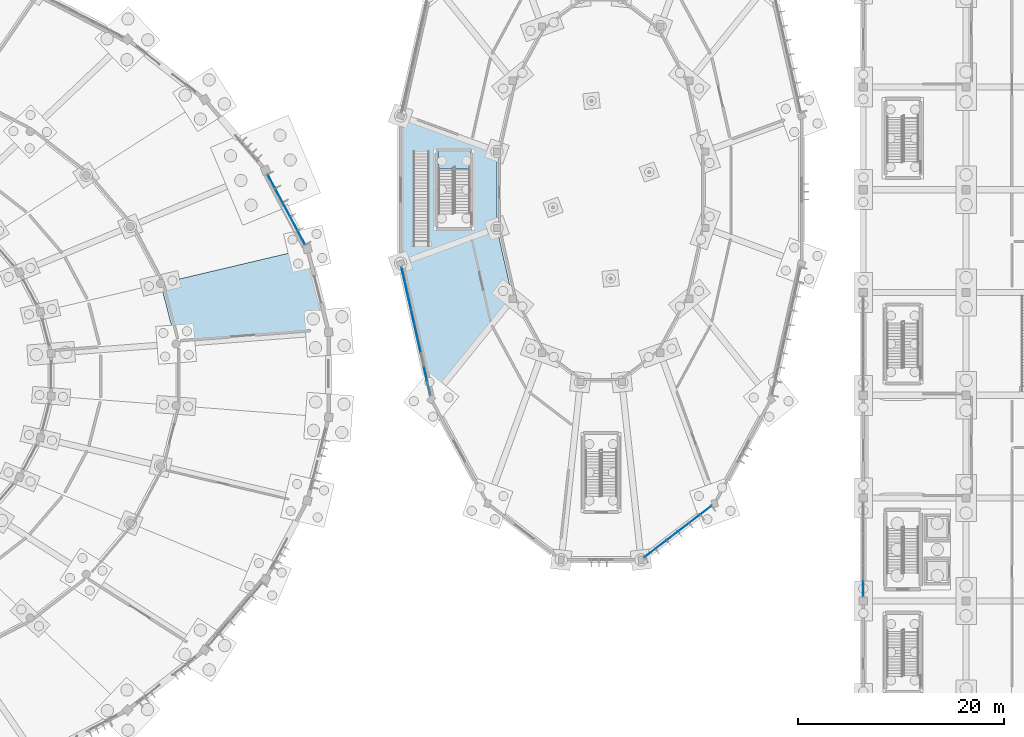
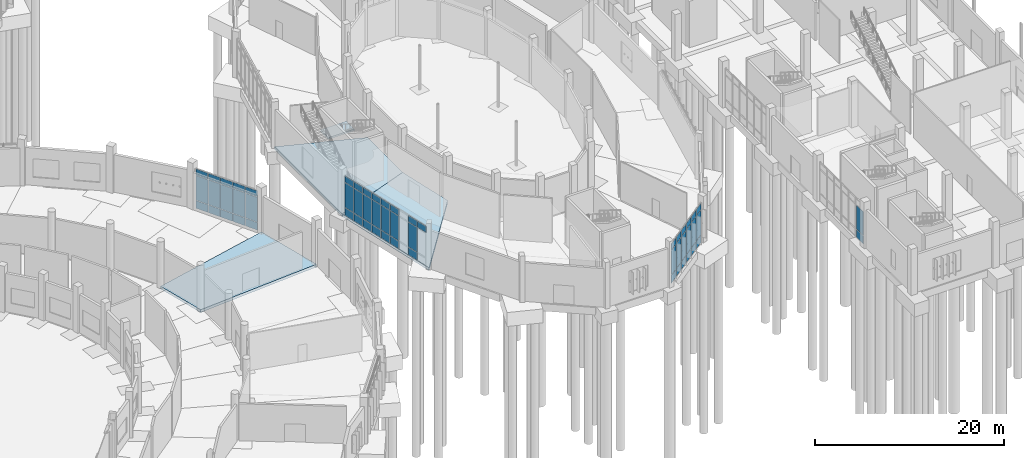
# One storey, part 64 of 140: 57 plates, 4 slabs, 5 elements without a shape of their own.
"""IFC4 building model written with IfcOpenShell, lengths in metres."""

from ifc_helpers import new_model, si_unit, direction, frame, origin, origin_2d, place, context, subcontext, project, spatial, polyline, rectangle, outline, extrude, material, layer, layer_set, type_object, element, aggregate, save


model = new_model("IFC4")

# Units and contexts
model_context = context("Model", 3, precision=1e-05, world=origin(), true_north=direction((0.0, 1.0)))
body_context = subcontext(model_context, "Body", "Model", "MODEL_VIEW")
ifc_project = project(units=[si_unit("LENGTHUNIT", "METRE"), si_unit("AREAUNIT", "SQUARE_METRE"), si_unit("VOLUMEUNIT", "CUBIC_METRE"), si_unit("PLANEANGLEUNIT", "RADIAN"), si_unit("MASSUNIT", "GRAM", prefix="KILO")], contexts=[model_context])

# Site, building, storey
site_placement = place(None, origin())
site = spatial("IfcSite", under=ifc_project, at=site_placement, CompositionType="ELEMENT")
building_placement = place(site_placement, origin())
building = spatial("IfcBuilding", under=site, at=building_placement, Name="Corvandel Quay Wholesale Market", CompositionType="ELEMENT")
storey_placement = place(building_placement, origin())
storey = spatial("IfcBuildingStorey", under=building, at=storey_placement, Name="L00", CompositionType="ELEMENT", Elevation=0.0)

# Curtain wall, plates
ifc_material_1 = material(Name="Bronze anodised aluminium and low-E insulated glazing", Category="aluminium")
ifc_layer_1 = layer(ifc_material_1, 0.174072265625)
ifc_layer_set_1 = layer_set([ifc_layer_1], Name="Bronze anodised aluminium and low-E insulated glazing")
curtain_wall_type_1 = type_object("IfcCurtainWallType", Name="Stick Curtain Wall System CW02 H3180", PredefinedType="NOTDEFINED", material=ifc_layer_set_1)
curtain_wall_1_placement = place(storey_placement, origin())
curtain_wall_1 = element("IfcCurtainWall", 1, at=curtain_wall_1_placement, inside=storey, type_object=curtain_wall_type_1, Name="Curtain Wall CW-0003", PredefinedType="NOTDEFINED")
ifc_material_2 = material(Name="Solar-control low-E insulated glazing", Category="glass")
ifc_layer_2 = layer(ifc_material_2, 0.0400390625)
ifc_layer_set_2 = layer_set([ifc_layer_2], Name="Solar-control low-E insulated glazing")
plate_type_1 = type_object("IfcPlateType", Name="Ceramic Fritted Spandrel Panel PN03 40mm", PredefinedType="CURTAIN_PANEL", material=ifc_layer_set_2)
plate_1_placement = place(storey_placement, frame((165.3486328125, 55.3330078125, 4.33251953125), z_axis=(0.0, 0.0, 1.0), x_axis=(-0.470087862033, 0.882619624736, 0.0)))
plate_1 = element("IfcPlate", 2, at=plate_1_placement, type_object=plate_type_1, Name="Glazing Panel CW-0003-P00-2", PredefinedType="CURTAIN_PANEL", context=body_context, shape_type="SweptSolid", body=[
    extrude(rectangle(XDim=1.48681640625, YDim=0.0400390625, at=origin_2d()), origin(), (0.0, 0.0, 1.0), 0.784912109375),
])
plate_2_placement = place(storey_placement, frame((164.619140625, 56.702880859375, 4.33251953125), z_axis=(0.0, 0.0, 1.0), x_axis=(-0.470087862033, 0.882619624736, 0.0)))
plate_2 = element("IfcPlate", 3, at=plate_2_placement, type_object=plate_type_1, Name="Glazing Panel CW-0003-P01-2", PredefinedType="CURTAIN_PANEL", context=body_context, shape_type="SweptSolid", body=[
    extrude(rectangle(XDim=1.48681640625, YDim=0.0400390625, at=origin_2d()), origin(), (0.0, 0.0, 1.0), 0.784912109375),
])
plate_3_placement = place(storey_placement, frame((163.889404296875, 58.072509765625, 4.33251953125), z_axis=(0.0, 0.0, 1.0), x_axis=(-0.470087862033, 0.882619624736, 0.0)))
plate_3 = element("IfcPlate", 4, at=plate_3_placement, type_object=plate_type_1, Name="Glazing Panel CW-0003-P02-2", PredefinedType="CURTAIN_PANEL", context=body_context, shape_type="SweptSolid", body=[
    extrude(rectangle(XDim=1.48681640625, YDim=0.0400390625, at=origin_2d()), origin(), (0.0, 0.0, 1.0), 0.784912109375),
])
plate_4_placement = place(storey_placement, frame((163.159912109375, 59.442138671875, 4.33251953125), z_axis=(0.0, 0.0, 1.0), x_axis=(-0.470087862033, 0.882619624736, 0.0)))
plate_4 = element("IfcPlate", 5, at=plate_4_placement, type_object=plate_type_1, Name="Glazing Panel CW-0003-P03-2", PredefinedType="CURTAIN_PANEL", context=body_context, shape_type="SweptSolid", body=[
    extrude(rectangle(XDim=1.48681640625, YDim=0.0400390625, at=origin_2d()), origin(), (0.0, 0.0, 1.0), 0.784912109375),
])
plate_5_placement = place(storey_placement, frame((162.430419921875, 60.81201171875, 4.33251953125), z_axis=(0.0, 0.0, 1.0), x_axis=(-0.470087862033, 0.882619624736, 0.0)))
plate_5 = element("IfcPlate", 6, at=plate_5_placement, type_object=plate_type_1, Name="Glazing Panel CW-0003-P04-2", PredefinedType="CURTAIN_PANEL", context=body_context, shape_type="SweptSolid", body=[
    extrude(rectangle(XDim=1.48681640625, YDim=0.0400390625, at=origin_2d()), origin(), (0.0, 0.0, 1.0), 0.784912109375),
])

ifc_layer_3 = layer(ifc_material_1, 0.14990234375)
ifc_layer_set_3 = layer_set([ifc_layer_3], Name="Bronze anodised aluminium and low-E insulated glazing")
curtain_wall_type_2 = type_object("IfcCurtainWallType", Name="Stick Curtain Wall System CW10 H3900", PredefinedType="NOTDEFINED", material=ifc_layer_set_3)
curtain_wall_2_placement = place(storey_placement, origin())
curtain_wall_2 = element("IfcCurtainWall", 7, at=curtain_wall_2_placement, inside=storey, type_object=curtain_wall_type_2, Name="Curtain Wall CW-0136", PredefinedType="NOTDEFINED")
plate_6_placement = place(storey_placement, frame((175.242919921875, 51.757080078125, 4.33251953125), z_axis=(0.0, 0.0, 1.0), x_axis=(-0.218994806262, 0.975726024471, 0.0)))
plate_6 = element("IfcPlate", 8, at=plate_6_placement, type_object=plate_type_1, Name="Glazing Panel CW-0136-P00-2", PredefinedType="CURTAIN_PANEL", context=body_context, shape_type="SweptSolid", body=[
    extrude(rectangle(XDim=1.352783203125, YDim=0.0400390625, at=origin_2d()), origin(), (0.0, 0.0, 1.0), 0.784912109375),
])
plate_7_placement = place(storey_placement, frame((175.55322265625, 50.37353515625, 4.33251953125), z_axis=(0.0, 0.0, 1.0), x_axis=(-0.218994806262, 0.975726024471, 0.0)))
plate_7 = element("IfcPlate", 9, at=plate_7_placement, type_object=plate_type_1, Name="Glazing Panel CW-0136-P01-2", PredefinedType="CURTAIN_PANEL", context=body_context, shape_type="SweptSolid", body=[
    extrude(rectangle(XDim=1.352783203125, YDim=0.0400390625, at=origin_2d()), origin(), (0.0, 0.0, 1.0), 0.784912109375),
])
plate_8_placement = place(storey_placement, frame((175.86376953125, 48.990234375, 4.33251953125), z_axis=(0.0, 0.0, 1.0), x_axis=(-0.218994806262, 0.975726024471, 0.0)))
plate_8 = element("IfcPlate", 10, at=plate_8_placement, type_object=plate_type_1, Name="Glazing Panel CW-0136-P02-2", PredefinedType="CURTAIN_PANEL", context=body_context, shape_type="SweptSolid", body=[
    extrude(rectangle(XDim=1.352783203125, YDim=0.0400390625, at=origin_2d()), origin(), (0.0, 0.0, 1.0), 0.784912109375),
])
plate_9_placement = place(storey_placement, frame((176.174072265625, 47.60693359375, 4.33251953125), z_axis=(0.0, 0.0, 1.0), x_axis=(-0.218994806262, 0.975726024471, 0.0)))
plate_9 = element("IfcPlate", 11, at=plate_9_placement, type_object=plate_type_1, Name="Glazing Panel CW-0136-P03-2", PredefinedType="CURTAIN_PANEL", context=body_context, shape_type="SweptSolid", body=[
    extrude(rectangle(XDim=1.352783203125, YDim=0.0400390625, at=origin_2d()), origin(), (0.0, 0.0, 1.0), 0.784912109375),
])
plate_10_placement = place(storey_placement, frame((176.484619140625, 46.223388671875, 4.33251953125), z_axis=(0.0, 0.0, 1.0), x_axis=(-0.218994806262, 0.975726024471, 0.0)))
plate_10 = element("IfcPlate", 12, at=plate_10_placement, type_object=plate_type_1, Name="Glazing Panel CW-0136-P04-2", PredefinedType="CURTAIN_PANEL", context=body_context, shape_type="SweptSolid", body=[
    extrude(rectangle(XDim=1.352783203125, YDim=0.0400390625, at=origin_2d()), origin(), (0.0, 0.0, 1.0), 0.784912109375),
])
plate_11_placement = place(storey_placement, frame((176.794921875, 44.840087890625, 4.33251953125), z_axis=(0.0, 0.0, 1.0), x_axis=(-0.218994806262, 0.975726024471, 0.0)))
plate_11 = element("IfcPlate", 13, at=plate_11_placement, type_object=plate_type_1, Name="Glazing Panel CW-0136-P05-2", PredefinedType="CURTAIN_PANEL", context=body_context, shape_type="SweptSolid", body=[
    extrude(rectangle(XDim=1.352783203125, YDim=0.0400390625, at=origin_2d()), origin(), (0.0, 0.0, 1.0), 0.784912109375),
])
plate_12_placement = place(storey_placement, frame((177.415771484375, 42.073486328125, 4.33251953125), z_axis=(0.0, 0.0, 1.0), x_axis=(-0.218994806262, 0.975726024471, 0.0)))
plate_12 = element("IfcPlate", 14, at=plate_12_placement, type_object=plate_type_1, Name="Glazing Panel CW-0136-P07-2", PredefinedType="CURTAIN_PANEL", context=body_context, shape_type="SweptSolid", body=[
    extrude(rectangle(XDim=1.352783203125, YDim=0.0400390625, at=origin_2d()), origin(), (0.0, 0.0, 1.0), 0.784912109375),
])
plate_13_placement = place(storey_placement, frame((177.726318359375, 40.68994140625, 4.33251953125), z_axis=(0.0, 0.0, 1.0), x_axis=(-0.218994806262, 0.975726024471, 0.0)))
plate_13 = element("IfcPlate", 15, at=plate_13_placement, type_object=plate_type_1, Name="Glazing Panel CW-0136-P08-2", PredefinedType="CURTAIN_PANEL", context=body_context, shape_type="SweptSolid", body=[
    extrude(rectangle(XDim=1.352783203125, YDim=0.0400390625, at=origin_2d()), origin(), (0.0, 0.0, 1.0), 0.784912109375),
])

ifc_layer_4 = layer(ifc_material_1, 0.197998046875)
ifc_layer_set_4 = layer_set([ifc_layer_4], Name="Bronze anodised aluminium and low-E insulated glazing")
curtain_wall_type_3 = type_object("IfcCurtainWallType", Name="Stick Curtain Wall System CW14 H4260", PredefinedType="NOTDEFINED", material=ifc_layer_set_4)
curtain_wall_3_placement = place(storey_placement, origin())
curtain_wall_3 = element("IfcCurtainWall", 16, at=curtain_wall_3_placement, inside=storey, type_object=curtain_wall_type_3, Name="Curtain Wall CW-0139", PredefinedType="NOTDEFINED")
plate_14_placement = place(storey_placement, frame((199.2412109375, 24.6591796875, 4.33251953125), z_axis=(0.0, 0.0, 1.0), x_axis=(0.794308601354, 0.607514481979, 0.0)))
plate_14 = element("IfcPlate", 17, at=plate_14_placement, type_object=plate_type_1, Name="Glazing Panel CW-0139-P00-2", PredefinedType="CURTAIN_PANEL", context=body_context, shape_type="SweptSolid", body=[
    extrude(rectangle(XDim=1.305419921875, YDim=0.0400390625, at=origin_2d()), origin(), (0.0, 0.0, 1.0), 0.784912109375),
])
plate_15_placement = place(storey_placement, frame((200.32958984375, 25.49169921875, 4.33251953125), z_axis=(0.0, 0.0, 1.0), x_axis=(0.794308601354, 0.607514481979, 0.0)))
plate_15 = element("IfcPlate", 18, at=plate_15_placement, type_object=plate_type_1, Name="Glazing Panel CW-0139-P01-2", PredefinedType="CURTAIN_PANEL", context=body_context, shape_type="SweptSolid", body=[
    extrude(rectangle(XDim=1.305419921875, YDim=0.0400390625, at=origin_2d()), origin(), (0.0, 0.0, 1.0), 0.784912109375),
])
plate_16_placement = place(storey_placement, frame((201.418212890625, 26.32421875, 4.33251953125), z_axis=(0.0, 0.0, 1.0), x_axis=(0.794308601354, 0.607514481979, 0.0)))
plate_16 = element("IfcPlate", 19, at=plate_16_placement, type_object=plate_type_1, Name="Glazing Panel CW-0139-P02-2", PredefinedType="CURTAIN_PANEL", context=body_context, shape_type="SweptSolid", body=[
    extrude(rectangle(XDim=1.305419921875, YDim=0.0400390625, at=origin_2d()), origin(), (0.0, 0.0, 1.0), 0.784912109375),
])
plate_17_placement = place(storey_placement, frame((202.5068359375, 27.15673828125, 4.33251953125), z_axis=(0.0, 0.0, 1.0), x_axis=(0.794308601354, 0.607514481979, 0.0)))
plate_17 = element("IfcPlate", 20, at=plate_17_placement, type_object=plate_type_1, Name="Glazing Panel CW-0139-P03-2", PredefinedType="CURTAIN_PANEL", context=body_context, shape_type="SweptSolid", body=[
    extrude(rectangle(XDim=1.305419921875, YDim=0.0400390625, at=origin_2d()), origin(), (0.0, 0.0, 1.0), 0.784912109375),
])
plate_18_placement = place(storey_placement, frame((203.59521484375, 27.9892578125, 4.33251953125), z_axis=(0.0, 0.0, 1.0), x_axis=(0.794308601354, 0.607514481979, 0.0)))
plate_18 = element("IfcPlate", 21, at=plate_18_placement, type_object=plate_type_1, Name="Glazing Panel CW-0139-P04-2", PredefinedType="CURTAIN_PANEL", context=body_context, shape_type="SweptSolid", body=[
    extrude(rectangle(XDim=1.305419921875, YDim=0.0400390625, at=origin_2d()), origin(), (0.0, 0.0, 1.0), 0.784912109375),
])
plate_19_placement = place(storey_placement, frame((204.683837890625, 28.82177734375, 4.33251953125), z_axis=(0.0, 0.0, 1.0), x_axis=(0.794308601354, 0.607514481979, 0.0)))
plate_19 = element("IfcPlate", 22, at=plate_19_placement, type_object=plate_type_1, Name="Glazing Panel CW-0139-P05-2", PredefinedType="CURTAIN_PANEL", context=body_context, shape_type="SweptSolid", body=[
    extrude(rectangle(XDim=1.305419921875, YDim=0.0400390625, at=origin_2d()), origin(), (0.0, 0.0, 1.0), 0.784912109375),
])

# Plate
ifc_layer_5 = layer(ifc_material_2, 0.028076171875)
ifc_layer_set_5 = layer_set([ifc_layer_5], Name="Solar-control low-E insulated glazing")
plate_type_2 = type_object("IfcPlateType", Name="Double Low-E Vision Panel PN01 28mm", PredefinedType="CURTAIN_PANEL", material=ifc_layer_set_5)
plate_20_placement = place(storey_placement, frame((165.3486328125, 55.3330078125, 0.0322265625), z_axis=(0.0, 0.0, 1.0), x_axis=(-0.470087862033, 0.882619624736, 0.0)))
plate_20 = element("IfcPlate", 23, at=plate_20_placement, type_object=plate_type_2, Name="Glazing Panel CW-0003-P00-0", PredefinedType="CURTAIN_PANEL", context=body_context, shape_type="SweptSolid", body=[
    extrude(rectangle(XDim=1.48681640625, YDim=0.028076171875, at=origin_2d()), origin(), (0.0, 0.0, 1.0), 0.985107421875),
])

plate_21_placement = place(storey_placement, frame((165.3486328125, 55.3330078125, 1.08251953125), z_axis=(0.0, 0.0, 1.0), x_axis=(-0.470087862033, 0.882619624736, 0.0)))
plate_21 = element("IfcPlate", 24, at=plate_21_placement, type_object=plate_type_2, Name="Glazing Panel CW-0003-P00-1", PredefinedType="CURTAIN_PANEL", context=body_context, shape_type="SweptSolid", body=[
    extrude(rectangle(XDim=1.48681640625, YDim=0.028076171875, at=origin_2d()), origin(), (0.0, 0.0, 1.0), 3.18505859375),
])

plate_22_placement = place(storey_placement, frame((164.619140625, 56.702880859375, 0.0322265625), z_axis=(0.0, 0.0, 1.0), x_axis=(-0.470087862033, 0.882619624736, 0.0)))
plate_22 = element("IfcPlate", 25, at=plate_22_placement, type_object=plate_type_2, Name="Glazing Panel CW-0003-P01-0", PredefinedType="CURTAIN_PANEL", context=body_context, shape_type="SweptSolid", body=[
    extrude(rectangle(XDim=1.48681640625, YDim=0.028076171875, at=origin_2d()), origin(), (0.0, 0.0, 1.0), 0.985107421875),
])

plate_23_placement = place(storey_placement, frame((164.619140625, 56.702880859375, 1.08251953125), z_axis=(0.0, 0.0, 1.0), x_axis=(-0.470087862033, 0.882619624736, 0.0)))
plate_23 = element("IfcPlate", 26, at=plate_23_placement, type_object=plate_type_2, Name="Glazing Panel CW-0003-P01-1", PredefinedType="CURTAIN_PANEL", context=body_context, shape_type="SweptSolid", body=[
    extrude(rectangle(XDim=1.48681640625, YDim=0.028076171875, at=origin_2d()), origin(), (0.0, 0.0, 1.0), 3.18505859375),
])

plate_24_placement = place(storey_placement, frame((163.889404296875, 58.072509765625, 0.0322265625), z_axis=(0.0, 0.0, 1.0), x_axis=(-0.470087862033, 0.882619624736, 0.0)))
plate_24 = element("IfcPlate", 27, at=plate_24_placement, type_object=plate_type_2, Name="Glazing Panel CW-0003-P02-0", PredefinedType="CURTAIN_PANEL", context=body_context, shape_type="SweptSolid", body=[
    extrude(rectangle(XDim=1.48681640625, YDim=0.028076171875, at=origin_2d()), origin(), (0.0, 0.0, 1.0), 0.985107421875),
])

plate_25_placement = place(storey_placement, frame((163.889404296875, 58.072509765625, 1.08251953125), z_axis=(0.0, 0.0, 1.0), x_axis=(-0.470087862033, 0.882619624736, 0.0)))
plate_25 = element("IfcPlate", 28, at=plate_25_placement, type_object=plate_type_2, Name="Glazing Panel CW-0003-P02-1", PredefinedType="CURTAIN_PANEL", context=body_context, shape_type="SweptSolid", body=[
    extrude(rectangle(XDim=1.48681640625, YDim=0.028076171875, at=origin_2d()), origin(), (0.0, 0.0, 1.0), 3.18505859375),
])

plate_26_placement = place(storey_placement, frame((163.159912109375, 59.442138671875, 0.0322265625), z_axis=(0.0, 0.0, 1.0), x_axis=(-0.470087862033, 0.882619624736, 0.0)))
plate_26 = element("IfcPlate", 29, at=plate_26_placement, type_object=plate_type_2, Name="Glazing Panel CW-0003-P03-0", PredefinedType="CURTAIN_PANEL", context=body_context, shape_type="SweptSolid", body=[
    extrude(rectangle(XDim=1.48681640625, YDim=0.028076171875, at=origin_2d()), origin(), (0.0, 0.0, 1.0), 0.985107421875),
])

plate_27_placement = place(storey_placement, frame((163.159912109375, 59.442138671875, 1.08251953125), z_axis=(0.0, 0.0, 1.0), x_axis=(-0.470087862033, 0.882619624736, 0.0)))
plate_27 = element("IfcPlate", 30, at=plate_27_placement, type_object=plate_type_2, Name="Glazing Panel CW-0003-P03-1", PredefinedType="CURTAIN_PANEL", context=body_context, shape_type="SweptSolid", body=[
    extrude(rectangle(XDim=1.48681640625, YDim=0.028076171875, at=origin_2d()), origin(), (0.0, 0.0, 1.0), 3.18505859375),
])

plate_28_placement = place(storey_placement, frame((162.430419921875, 60.81201171875, 0.0322265625), z_axis=(0.0, 0.0, 1.0), x_axis=(-0.470087862033, 0.882619624736, 0.0)))
plate_28 = element("IfcPlate", 31, at=plate_28_placement, type_object=plate_type_2, Name="Glazing Panel CW-0003-P04-0", PredefinedType="CURTAIN_PANEL", context=body_context, shape_type="SweptSolid", body=[
    extrude(rectangle(XDim=1.48681640625, YDim=0.028076171875, at=origin_2d()), origin(), (0.0, 0.0, 1.0), 0.985107421875),
])

plate_29_placement = place(storey_placement, frame((162.430419921875, 60.81201171875, 1.08251953125), z_axis=(0.0, 0.0, 1.0), x_axis=(-0.470087862033, 0.882619624736, 0.0)))
plate_29 = element("IfcPlate", 32, at=plate_29_placement, type_object=plate_type_2, Name="Glazing Panel CW-0003-P04-1", PredefinedType="CURTAIN_PANEL", context=body_context, shape_type="SweptSolid", body=[
    extrude(rectangle(XDim=1.48681640625, YDim=0.028076171875, at=origin_2d()), origin(), (0.0, 0.0, 1.0), 3.18505859375),
])

aggregate(curtain_wall_1, [plate_20, plate_21, plate_1, plate_22, plate_23, plate_2, plate_24, plate_25, plate_3, plate_26, plate_27, plate_4, plate_28, plate_29, plate_5])

plate_30_placement = place(storey_placement, frame((175.242919921875, 51.757080078125, 0.0322265625), z_axis=(0.0, 0.0, 1.0), x_axis=(-0.218994806262, 0.975726024471, 0.0)))
plate_30 = element("IfcPlate", 33, at=plate_30_placement, type_object=plate_type_2, Name="Glazing Panel CW-0136-P00-0", PredefinedType="CURTAIN_PANEL", context=body_context, shape_type="SweptSolid", body=[
    extrude(rectangle(XDim=1.352783203125, YDim=0.028076171875, at=origin_2d()), origin(), (0.0, 0.0, 1.0), 0.985107421875),
])

plate_31_placement = place(storey_placement, frame((175.242919921875, 51.757080078125, 1.08251953125), z_axis=(0.0, 0.0, 1.0), x_axis=(-0.218994806262, 0.975726024471, 0.0)))
plate_31 = element("IfcPlate", 34, at=plate_31_placement, type_object=plate_type_2, Name="Glazing Panel CW-0136-P00-1", PredefinedType="CURTAIN_PANEL", context=body_context, shape_type="SweptSolid", body=[
    extrude(rectangle(XDim=1.352783203125, YDim=0.028076171875, at=origin_2d()), origin(), (0.0, 0.0, 1.0), 3.18505859375),
])

plate_32_placement = place(storey_placement, frame((175.55322265625, 50.37353515625, 0.0322265625), z_axis=(0.0, 0.0, 1.0), x_axis=(-0.218994806262, 0.975726024471, 0.0)))
plate_32 = element("IfcPlate", 35, at=plate_32_placement, type_object=plate_type_2, Name="Glazing Panel CW-0136-P01-0", PredefinedType="CURTAIN_PANEL", context=body_context, shape_type="SweptSolid", body=[
    extrude(rectangle(XDim=1.352783203125, YDim=0.028076171875, at=origin_2d()), origin(), (0.0, 0.0, 1.0), 0.985107421875),
])

plate_33_placement = place(storey_placement, frame((175.55322265625, 50.37353515625, 1.08251953125), z_axis=(0.0, 0.0, 1.0), x_axis=(-0.218994806262, 0.975726024471, 0.0)))
plate_33 = element("IfcPlate", 36, at=plate_33_placement, type_object=plate_type_2, Name="Glazing Panel CW-0136-P01-1", PredefinedType="CURTAIN_PANEL", context=body_context, shape_type="SweptSolid", body=[
    extrude(rectangle(XDim=1.352783203125, YDim=0.028076171875, at=origin_2d()), origin(), (0.0, 0.0, 1.0), 3.18505859375),
])

plate_34_placement = place(storey_placement, frame((175.86376953125, 48.990234375, 0.0322265625), z_axis=(0.0, 0.0, 1.0), x_axis=(-0.218994806262, 0.975726024471, 0.0)))
plate_34 = element("IfcPlate", 37, at=plate_34_placement, type_object=plate_type_2, Name="Glazing Panel CW-0136-P02-0", PredefinedType="CURTAIN_PANEL", context=body_context, shape_type="SweptSolid", body=[
    extrude(rectangle(XDim=1.352783203125, YDim=0.028076171875, at=origin_2d()), origin(), (0.0, 0.0, 1.0), 0.985107421875),
])

plate_35_placement = place(storey_placement, frame((175.86376953125, 48.990234375, 1.08251953125), z_axis=(0.0, 0.0, 1.0), x_axis=(-0.218994806262, 0.975726024471, 0.0)))
plate_35 = element("IfcPlate", 38, at=plate_35_placement, type_object=plate_type_2, Name="Glazing Panel CW-0136-P02-1", PredefinedType="CURTAIN_PANEL", context=body_context, shape_type="SweptSolid", body=[
    extrude(rectangle(XDim=1.352783203125, YDim=0.028076171875, at=origin_2d()), origin(), (0.0, 0.0, 1.0), 3.18505859375),
])

plate_36_placement = place(storey_placement, frame((176.174072265625, 47.60693359375, 0.0322265625), z_axis=(0.0, 0.0, 1.0), x_axis=(-0.218994806262, 0.975726024471, 0.0)))
plate_36 = element("IfcPlate", 39, at=plate_36_placement, type_object=plate_type_2, Name="Glazing Panel CW-0136-P03-0", PredefinedType="CURTAIN_PANEL", context=body_context, shape_type="SweptSolid", body=[
    extrude(rectangle(XDim=1.352783203125, YDim=0.028076171875, at=origin_2d()), origin(), (0.0, 0.0, 1.0), 0.985107421875),
])

plate_37_placement = place(storey_placement, frame((176.174072265625, 47.60693359375, 1.08251953125), z_axis=(0.0, 0.0, 1.0), x_axis=(-0.218994806262, 0.975726024471, 0.0)))
plate_37 = element("IfcPlate", 40, at=plate_37_placement, type_object=plate_type_2, Name="Glazing Panel CW-0136-P03-1", PredefinedType="CURTAIN_PANEL", context=body_context, shape_type="SweptSolid", body=[
    extrude(rectangle(XDim=1.352783203125, YDim=0.028076171875, at=origin_2d()), origin(), (0.0, 0.0, 1.0), 3.18505859375),
])

plate_38_placement = place(storey_placement, frame((176.484619140625, 46.223388671875, 0.0322265625), z_axis=(0.0, 0.0, 1.0), x_axis=(-0.218994806262, 0.975726024471, 0.0)))
plate_38 = element("IfcPlate", 41, at=plate_38_placement, type_object=plate_type_2, Name="Glazing Panel CW-0136-P04-0", PredefinedType="CURTAIN_PANEL", context=body_context, shape_type="SweptSolid", body=[
    extrude(rectangle(XDim=1.352783203125, YDim=0.028076171875, at=origin_2d()), origin(), (0.0, 0.0, 1.0), 0.985107421875),
])

plate_39_placement = place(storey_placement, frame((176.484619140625, 46.223388671875, 1.08251953125), z_axis=(0.0, 0.0, 1.0), x_axis=(-0.218994806262, 0.975726024471, 0.0)))
plate_39 = element("IfcPlate", 42, at=plate_39_placement, type_object=plate_type_2, Name="Glazing Panel CW-0136-P04-1", PredefinedType="CURTAIN_PANEL", context=body_context, shape_type="SweptSolid", body=[
    extrude(rectangle(XDim=1.352783203125, YDim=0.028076171875, at=origin_2d()), origin(), (0.0, 0.0, 1.0), 3.18505859375),
])

plate_40_placement = place(storey_placement, frame((176.794921875, 44.840087890625, 0.0322265625), z_axis=(0.0, 0.0, 1.0), x_axis=(-0.218994806262, 0.975726024471, 0.0)))
plate_40 = element("IfcPlate", 43, at=plate_40_placement, type_object=plate_type_2, Name="Glazing Panel CW-0136-P05-0", PredefinedType="CURTAIN_PANEL", context=body_context, shape_type="SweptSolid", body=[
    extrude(rectangle(XDim=1.352783203125, YDim=0.028076171875, at=origin_2d()), origin(), (0.0, 0.0, 1.0), 0.985107421875),
])

plate_41_placement = place(storey_placement, frame((176.794921875, 44.840087890625, 1.08251953125), z_axis=(0.0, 0.0, 1.0), x_axis=(-0.218994806262, 0.975726024471, 0.0)))
plate_41 = element("IfcPlate", 44, at=plate_41_placement, type_object=plate_type_2, Name="Glazing Panel CW-0136-P05-1", PredefinedType="CURTAIN_PANEL", context=body_context, shape_type="SweptSolid", body=[
    extrude(rectangle(XDim=1.352783203125, YDim=0.028076171875, at=origin_2d()), origin(), (0.0, 0.0, 1.0), 3.18505859375),
])

plate_42_placement = place(storey_placement, frame((177.415771484375, 42.073486328125, 0.0322265625), z_axis=(0.0, 0.0, 1.0), x_axis=(-0.218994806262, 0.975726024471, 0.0)))
plate_42 = element("IfcPlate", 45, at=plate_42_placement, type_object=plate_type_2, Name="Glazing Panel CW-0136-P07-0", PredefinedType="CURTAIN_PANEL", context=body_context, shape_type="SweptSolid", body=[
    extrude(rectangle(XDim=1.352783203125, YDim=0.028076171875, at=origin_2d()), origin(), (0.0, 0.0, 1.0), 0.985107421875),
])

plate_43_placement = place(storey_placement, frame((177.415771484375, 42.073486328125, 1.08251953125), z_axis=(0.0, 0.0, 1.0), x_axis=(-0.218994806262, 0.975726024471, 0.0)))
plate_43 = element("IfcPlate", 46, at=plate_43_placement, type_object=plate_type_2, Name="Glazing Panel CW-0136-P07-1", PredefinedType="CURTAIN_PANEL", context=body_context, shape_type="SweptSolid", body=[
    extrude(rectangle(XDim=1.352783203125, YDim=0.028076171875, at=origin_2d()), origin(), (0.0, 0.0, 1.0), 3.18505859375),
])

aggregate(curtain_wall_2, [plate_30, plate_31, plate_6, plate_32, plate_33, plate_7, plate_34, plate_35, plate_8, plate_36, plate_37, plate_9, plate_38, plate_39, plate_10, plate_40, plate_41, plate_11, plate_42, plate_43, plate_12, plate_13])

plate_44_placement = place(storey_placement, frame((199.2412109375, 24.6591796875, 0.0322265625), z_axis=(0.0, 0.0, 1.0), x_axis=(0.794308601354, 0.607514481979, 0.0)))
plate_44 = element("IfcPlate", 47, at=plate_44_placement, type_object=plate_type_2, Name="Glazing Panel CW-0139-P00-0", PredefinedType="CURTAIN_PANEL", context=body_context, shape_type="SweptSolid", body=[
    extrude(rectangle(XDim=1.305419921875, YDim=0.028076171875, at=origin_2d()), origin(), (0.0, 0.0, 1.0), 0.985107421875),
])

plate_45_placement = place(storey_placement, frame((199.2412109375, 24.6591796875, 1.08251953125), z_axis=(0.0, 0.0, 1.0), x_axis=(0.794308601354, 0.607514481979, 0.0)))
plate_45 = element("IfcPlate", 48, at=plate_45_placement, type_object=plate_type_2, Name="Glazing Panel CW-0139-P00-1", PredefinedType="CURTAIN_PANEL", context=body_context, shape_type="SweptSolid", body=[
    extrude(rectangle(XDim=1.305419921875, YDim=0.028076171875, at=origin_2d()), origin(), (0.0, 0.0, 1.0), 3.18505859375),
])

plate_46_placement = place(storey_placement, frame((200.32958984375, 25.49169921875, 0.0322265625), z_axis=(0.0, 0.0, 1.0), x_axis=(0.794308601354, 0.607514481979, 0.0)))
plate_46 = element("IfcPlate", 49, at=plate_46_placement, type_object=plate_type_2, Name="Glazing Panel CW-0139-P01-0", PredefinedType="CURTAIN_PANEL", context=body_context, shape_type="SweptSolid", body=[
    extrude(rectangle(XDim=1.305419921875, YDim=0.028076171875, at=origin_2d()), origin(), (0.0, 0.0, 1.0), 0.985107421875),
])

plate_47_placement = place(storey_placement, frame((200.32958984375, 25.49169921875, 1.08251953125), z_axis=(0.0, 0.0, 1.0), x_axis=(0.794308601354, 0.607514481979, 0.0)))
plate_47 = element("IfcPlate", 50, at=plate_47_placement, type_object=plate_type_2, Name="Glazing Panel CW-0139-P01-1", PredefinedType="CURTAIN_PANEL", context=body_context, shape_type="SweptSolid", body=[
    extrude(rectangle(XDim=1.305419921875, YDim=0.028076171875, at=origin_2d()), origin(), (0.0, 0.0, 1.0), 3.18505859375),
])

plate_48_placement = place(storey_placement, frame((201.418212890625, 26.32421875, 0.0322265625), z_axis=(0.0, 0.0, 1.0), x_axis=(0.794308601354, 0.607514481979, 0.0)))
plate_48 = element("IfcPlate", 51, at=plate_48_placement, type_object=plate_type_2, Name="Glazing Panel CW-0139-P02-0", PredefinedType="CURTAIN_PANEL", context=body_context, shape_type="SweptSolid", body=[
    extrude(rectangle(XDim=1.305419921875, YDim=0.028076171875, at=origin_2d()), origin(), (0.0, 0.0, 1.0), 0.985107421875),
])

plate_49_placement = place(storey_placement, frame((201.418212890625, 26.32421875, 1.08251953125), z_axis=(0.0, 0.0, 1.0), x_axis=(0.794308601354, 0.607514481979, 0.0)))
plate_49 = element("IfcPlate", 52, at=plate_49_placement, type_object=plate_type_2, Name="Glazing Panel CW-0139-P02-1", PredefinedType="CURTAIN_PANEL", context=body_context, shape_type="SweptSolid", body=[
    extrude(rectangle(XDim=1.305419921875, YDim=0.028076171875, at=origin_2d()), origin(), (0.0, 0.0, 1.0), 3.18505859375),
])

plate_50_placement = place(storey_placement, frame((202.5068359375, 27.15673828125, 0.0322265625), z_axis=(0.0, 0.0, 1.0), x_axis=(0.794308601354, 0.607514481979, 0.0)))
plate_50 = element("IfcPlate", 53, at=plate_50_placement, type_object=plate_type_2, Name="Glazing Panel CW-0139-P03-0", PredefinedType="CURTAIN_PANEL", context=body_context, shape_type="SweptSolid", body=[
    extrude(rectangle(XDim=1.305419921875, YDim=0.028076171875, at=origin_2d()), origin(), (0.0, 0.0, 1.0), 0.985107421875),
])

plate_51_placement = place(storey_placement, frame((202.5068359375, 27.15673828125, 1.08251953125), z_axis=(0.0, 0.0, 1.0), x_axis=(0.794308601354, 0.607514481979, 0.0)))
plate_51 = element("IfcPlate", 54, at=plate_51_placement, type_object=plate_type_2, Name="Glazing Panel CW-0139-P03-1", PredefinedType="CURTAIN_PANEL", context=body_context, shape_type="SweptSolid", body=[
    extrude(rectangle(XDim=1.305419921875, YDim=0.028076171875, at=origin_2d()), origin(), (0.0, 0.0, 1.0), 3.18505859375),
])

plate_52_placement = place(storey_placement, frame((203.59521484375, 27.9892578125, 0.0322265625), z_axis=(0.0, 0.0, 1.0), x_axis=(0.794308601354, 0.607514481979, 0.0)))
plate_52 = element("IfcPlate", 55, at=plate_52_placement, type_object=plate_type_2, Name="Glazing Panel CW-0139-P04-0", PredefinedType="CURTAIN_PANEL", context=body_context, shape_type="SweptSolid", body=[
    extrude(rectangle(XDim=1.305419921875, YDim=0.028076171875, at=origin_2d()), origin(), (0.0, 0.0, 1.0), 0.985107421875),
])

plate_53_placement = place(storey_placement, frame((203.59521484375, 27.9892578125, 1.08251953125), z_axis=(0.0, 0.0, 1.0), x_axis=(0.794308601354, 0.607514481979, 0.0)))
plate_53 = element("IfcPlate", 56, at=plate_53_placement, type_object=plate_type_2, Name="Glazing Panel CW-0139-P04-1", PredefinedType="CURTAIN_PANEL", context=body_context, shape_type="SweptSolid", body=[
    extrude(rectangle(XDim=1.305419921875, YDim=0.028076171875, at=origin_2d()), origin(), (0.0, 0.0, 1.0), 3.18505859375),
])

plate_54_placement = place(storey_placement, frame((204.683837890625, 28.82177734375, 0.0322265625), z_axis=(0.0, 0.0, 1.0), x_axis=(0.794308601354, 0.607514481979, 0.0)))
plate_54 = element("IfcPlate", 57, at=plate_54_placement, type_object=plate_type_2, Name="Glazing Panel CW-0139-P05-0", PredefinedType="CURTAIN_PANEL", context=body_context, shape_type="SweptSolid", body=[
    extrude(rectangle(XDim=1.305419921875, YDim=0.028076171875, at=origin_2d()), origin(), (0.0, 0.0, 1.0), 0.985107421875),
])

plate_55_placement = place(storey_placement, frame((204.683837890625, 28.82177734375, 1.08251953125), z_axis=(0.0, 0.0, 1.0), x_axis=(0.794308601354, 0.607514481979, 0.0)))
plate_55 = element("IfcPlate", 58, at=plate_55_placement, type_object=plate_type_2, Name="Glazing Panel CW-0139-P05-1", PredefinedType="CURTAIN_PANEL", context=body_context, shape_type="SweptSolid", body=[
    extrude(rectangle(XDim=1.305419921875, YDim=0.028076171875, at=origin_2d()), origin(), (0.0, 0.0, 1.0), 3.18505859375),
])

aggregate(curtain_wall_3, [plate_44, plate_45, plate_14, plate_46, plate_47, plate_15, plate_48, plate_49, plate_16, plate_50, plate_51, plate_17, plate_52, plate_53, plate_18, plate_54, plate_55, plate_19])

# Curtain wall, plates
ifc_layer_6 = layer(ifc_material_1, 0.14990234375)
ifc_layer_set_6 = layer_set([ifc_layer_6], Name="Bronze anodised aluminium and low-E insulated glazing")
curtain_wall_type_4 = type_object("IfcCurtainWallType", Name="Stick Curtain Wall System CW20 H4800", PredefinedType="NOTDEFINED", material=ifc_layer_set_6)
curtain_wall_4_placement = place(storey_placement, origin())
curtain_wall_4 = element("IfcCurtainWall", 59, at=curtain_wall_4_placement, inside=storey, type_object=curtain_wall_type_4, Name="Curtain Wall CW-0142", PredefinedType="NOTDEFINED")
plate_56_placement = place(storey_placement, frame((220.0, 21.166748046875, 0.02978515625), z_axis=(0.0, 0.0, 1.0), x_axis=(0.0, 1.0, 0.0)))
plate_56 = element("IfcPlate", 60, at=plate_56_placement, type_object=plate_type_2, Name="Glazing Panel CW-0142-P00-0", PredefinedType="CURTAIN_PANEL", context=body_context, shape_type="SweptSolid", body=[
    extrude(rectangle(XDim=1.46826171875, YDim=0.028076171875, at=origin_2d()), origin(), (0.0, 0.0, 1.0), 0.989990234375),
])
plate_57_placement = place(storey_placement, frame((220.0, 21.166748046875, 1.080078125), z_axis=(0.0, 0.0, 1.0), x_axis=(0.0, 1.0, 0.0)))
plate_57 = element("IfcPlate", 61, at=plate_57_placement, type_object=plate_type_2, Name="Glazing Panel CW-0142-P00-1", PredefinedType="CURTAIN_PANEL", context=body_context, shape_type="SweptSolid", body=[
    extrude(rectangle(XDim=1.46826171875, YDim=0.028076171875, at=origin_2d()), origin(), (0.0, 0.0, 1.0), 3.090087890625),
])
aggregate(curtain_wall_4, [plate_56, plate_57])

# Slabs
ifc_material_3 = material(Name="Concrete C40/50", Category="concrete")
ifc_layer_7 = layer(ifc_material_3, 0.35009765625)
ifc_layer_set_7 = layer_set([ifc_layer_7], Name="Concrete C40/50")
slab_type_1 = type_object("IfcSlabType", Name="Ground Bearing Base Slab 350", PredefinedType="BASESLAB", material=ifc_layer_set_7)
slab_1_placement = place(storey_placement, frame((0.0, 0.0, -0.35009765625)))
element("IfcSlab", 62, at=slab_1_placement, inside=storey, type_object=slab_type_1, Name="Slab SLB-0001", PredefinedType="BASESLAB", context=body_context, shape_type="SweptSolid", body=[
    extrude(outline(polyline([(168.0, 46.136962890625), (165.925048828125, 54.2509765625), (151.64501953125, 50.882080078125), (153.14990234375, 44.9990234375), (168.0, 46.136962890625)])), origin(), (0.0, 0.0, 1.0), 0.35009765625),
])
slab_2_placement = place(storey_placement, frame((0.0, 0.0, -0.35009765625)))
element("IfcSlab", 63, at=slab_2_placement, inside=storey, type_object=slab_type_1, Name="Slab SLB-0411", PredefinedType="BASESLAB", context=body_context, shape_type="SweptSolid", body=[
    extrude(outline(polyline([(175.0, 67.160888671875), (175.0, 52.839111328125), (184.360107421875, 56.27587890625), (184.360107421875, 63.72412109375), (175.0, 67.160888671875)])), origin(), (0.0, 0.0, 1.0), 0.35009765625),
])
slab_3_placement = place(storey_placement, frame((0.0, 0.0, -0.35009765625)))
element("IfcSlab", 64, at=slab_3_placement, inside=storey, type_object=slab_type_1, Name="Slab SLB-0415", PredefinedType="BASESLAB", context=body_context, shape_type="SweptSolid", body=[
    extrude(outline(polyline([(175.0, 52.839111328125), (177.968994140625, 39.60791015625), (185.904052734375, 49.39599609375), (184.360107421875, 56.27587890625), (175.0, 52.839111328125)])), origin(), (0.0, 0.0, 1.0), 0.35009765625),
])

# Stair, slab
stair_type = type_object("IfcStairType", Name="Exit Stair Two-Return L00-L01 ST01", PredefinedType="USERDEFINED", material=ifc_material_3)
stair_placement = place(storey_placement, origin())
stair = element("IfcStair", 65, at=stair_placement, inside=storey, type_object=stair_type, Name="Exit Stair STR-017", ObjectType="TWO_RETURN_STAIR", PredefinedType="USERDEFINED")
ifc_layer_8 = layer(ifc_material_3, 0.219970703125)
ifc_layer_set_8 = layer_set([ifc_layer_8], Name="Concrete C40/50")
slab_type_2 = type_object("IfcSlabType", Name="Precast Stair Landing LND01 220", PredefinedType="LANDING", material=ifc_layer_set_8)
slab_4_placement = place(storey_placement, frame((0.0, 0.0, 2.780029296875)))
slab_4 = element("IfcSlab", 66, at=slab_4_placement, type_object=slab_type_2, Name="Stair Landing STR-017-LND", PredefinedType="LANDING", context=body_context, shape_type="SweptSolid", body=[
    extrude(outline(polyline([(178.610107421875, 62.030029296875), (181.7900390625, 62.030029296875), (181.7900390625, 63.739990234375), (178.610107421875, 63.739990234375), (178.610107421875, 62.030029296875)])), origin(), (0.0, 0.0, 1.0), 0.219970703125),
])
aggregate(stair, [slab_4])

save(model, "model.ifc")
